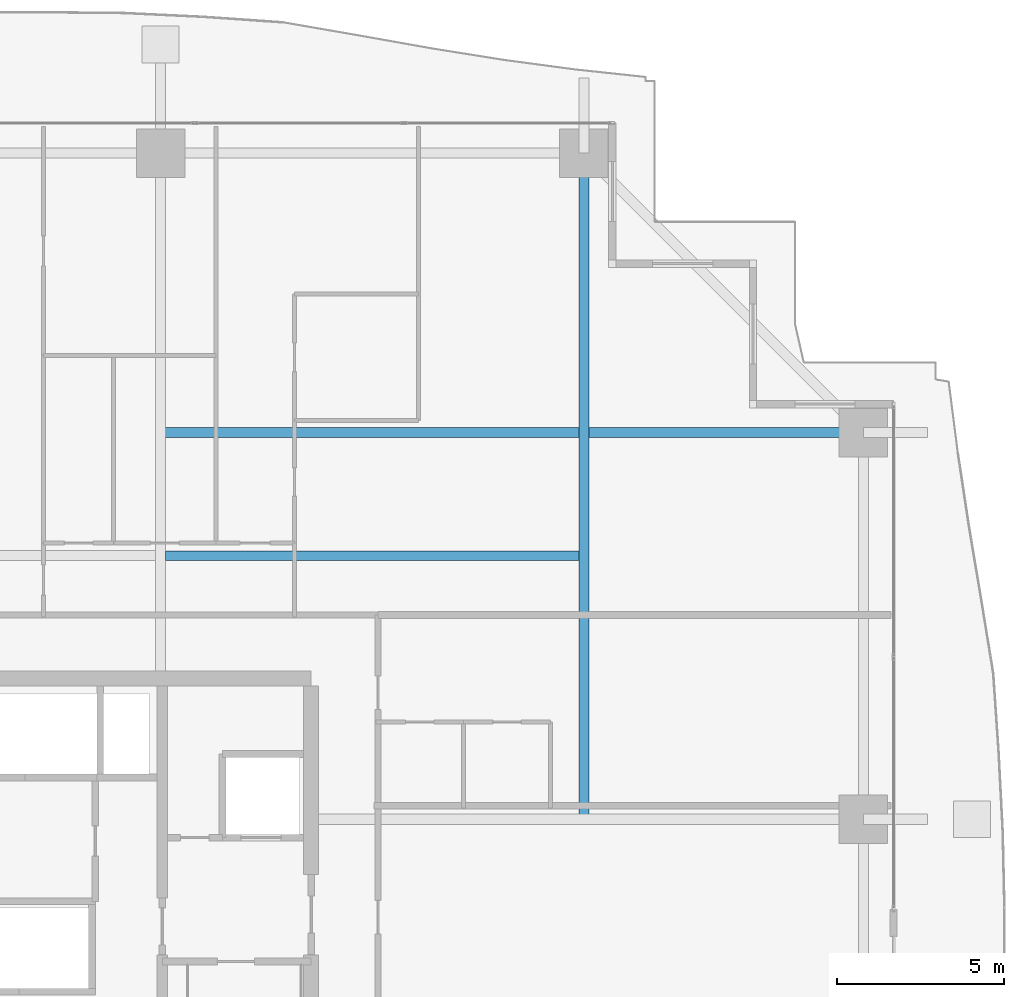
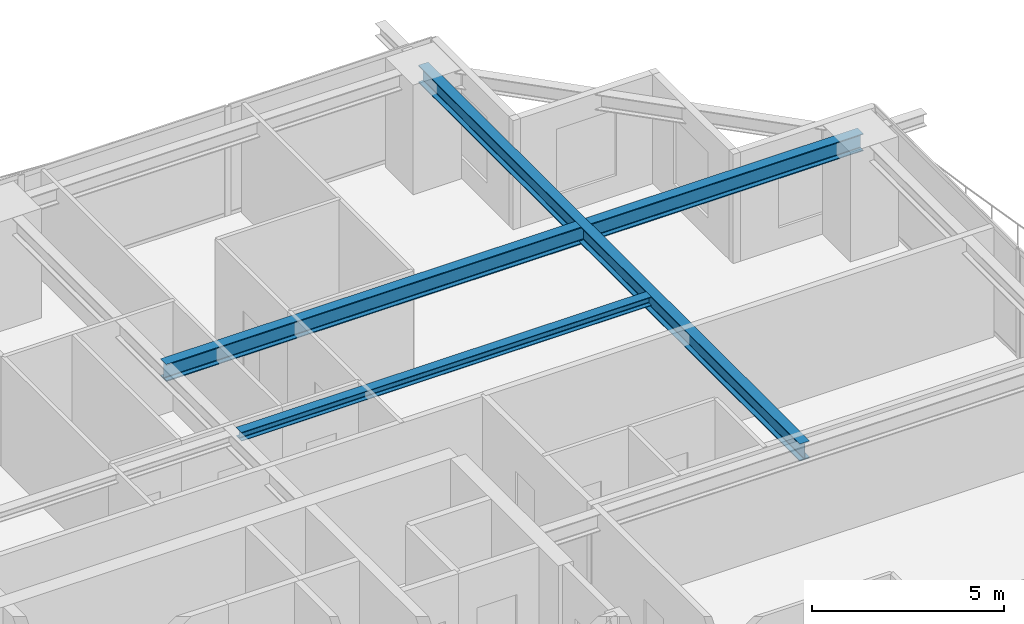
# One storey, part 22 of 38: 3 beams.
"""IFC4 building model written with IfcOpenShell, lengths in metres."""

from ifc_helpers import new_model, si_unit, direction, frame, origin, origin_2d, place, context, subcontext, project, spatial, i_section, extrude, source, transform, mapped, material, material_profile, profile_set, type_object, element, save


model = new_model("IFC4")

# Units and contexts
model_context = context("Model", 3, precision=1e-05, world=origin(), true_north=direction((0.0, 1.0)))
body_context = subcontext(model_context, "Body", "Model", "MODEL_VIEW")
ifc_project = project(units=[si_unit("LENGTHUNIT", "METRE"), si_unit("AREAUNIT", "SQUARE_METRE"), si_unit("VOLUMEUNIT", "CUBIC_METRE"), si_unit("PLANEANGLEUNIT", "RADIAN"), si_unit("MASSUNIT", "GRAM", prefix="KILO")], contexts=[model_context])

# Site, building, storey
site_placement = place(None, origin())
site = spatial("IfcSite", under=ifc_project, at=site_placement, CompositionType="ELEMENT")
building_placement = place(site_placement, origin())
building = spatial("IfcBuilding", under=site, at=building_placement, Name="Serunith Strait Residences", CompositionType="ELEMENT")
storey_placement = place(building_placement, frame((0.0, 0.0, 67.949951171875)))
storey = spatial("IfcBuildingStorey", under=building, at=storey_placement, Name="L16", CompositionType="ELEMENT", Elevation=67.949951171875)

# Beams
ifc_material = material(Name="Steel S355J2", Category="steel")
ifc_material_profile_1 = material_profile(ifc_material, i_section(OverallWidth=0.300048828125, OverallDepth=0.550048828125, WebThickness=0.014892578125, FlangeThickness=0.029052734375, FilletRadius=0.027099609375, at=origin_2d()), Name="HEB 550")
ifc_profile_set_1 = profile_set([ifc_material_profile_1], Name="Steel S355J2")
beam_type_1 = type_object("IfcBeamType", Name="BM-HEB550", PredefinedType="BEAM", material=ifc_profile_set_1)
shared_shape_1 = source(origin(), body_context, "Body", "SweptSolid", [
    extrude(i_section(OverallWidth=0.300048828125, OverallDepth=0.550048828125, WebThickness=0.014892578125, FlangeThickness=0.029052734375, FilletRadius=0.027099609375, at=origin_2d()), origin(), (0.0, 0.0, 1.0), 19.900146484375),
])
beam_1_placement = place(storey_placement, frame((49.550048828125, 29.39990234375, 3.212158203125), z_axis=(0.0, 1.0, 0.0), x_axis=(-1.0, 0.0, 0.0)))
element("IfcBeam", 1, at=beam_1_placement, inside=storey, type_object=beam_type_1, Name="L16 Orthogonal Corner Girder TC-N4", PredefinedType="BEAM", context=body_context, shape_type="MappedRepresentation", body=[
    mapped(shared_shape_1, transform((0.0, 0.0, 0.0), scale=1.0)),
])
shared_shape_2 = source(origin(), body_context, "Body", "SweptSolid", [
    extrude(i_section(OverallWidth=0.300048828125, OverallDepth=0.550048828125, WebThickness=0.014892578125, FlangeThickness=0.029052734375, FilletRadius=0.027099609375, at=origin_2d()), origin(), (0.0, 0.0, 1.0), 21.0),
])
beam_2_placement = place(storey_placement, frame((36.89990234375, 40.949951171875, 3.212158203125), z_axis=(1.0, 0.0, 0.0), x_axis=(0.0, 1.0, 0.0)))
element("IfcBeam", 2, at=beam_2_placement, inside=storey, type_object=beam_type_1, Name="L16 Orthogonal Corner Girder TC-E4", PredefinedType="BEAM", context=body_context, shape_type="MappedRepresentation", body=[
    mapped(shared_shape_2, transform((0.0, 0.0, 0.0), scale=1.0)),
])
ifc_material_profile_2 = material_profile(ifc_material, i_section(OverallWidth=0.280029296875, OverallDepth=0.280029296875, WebThickness=0.010498046875, FlangeThickness=0.01806640625, FilletRadius=0.02392578125, at=origin_2d()), Name="HEB 280")
ifc_profile_set_2 = profile_set([ifc_material_profile_2], Name="Steel S355J2")
beam_type_2 = type_object("IfcBeamType", Name="BM-HEB280", PredefinedType="JOIST", material=ifc_profile_set_2)
shared_shape_3 = source(origin(), body_context, "Body", "SweptSolid", [
    extrude(i_section(OverallWidth=0.280029296875, OverallDepth=0.280029296875, WebThickness=0.010498046875, FlangeThickness=0.01806640625, FilletRadius=0.02392578125, at=origin_2d()), origin(), (0.0, 0.0, 1.0), 12.349853515625),
])
beam_3_placement = place(storey_placement, frame((37.050048828125, 37.27490234375, 3.34716796875), z_axis=(1.0, 0.0, 0.0), x_axis=(0.0, 1.0, 0.0)))
element("IfcBeam", 3, at=beam_3_placement, inside=storey, type_object=beam_type_2, Name="L16 Composite Floor Joist 06", PredefinedType="JOIST", context=body_context, shape_type="MappedRepresentation", body=[
    mapped(shared_shape_3, transform((0.0, 0.0, 0.0), scale=1.0)),
])

save(model, "model.ifc")
